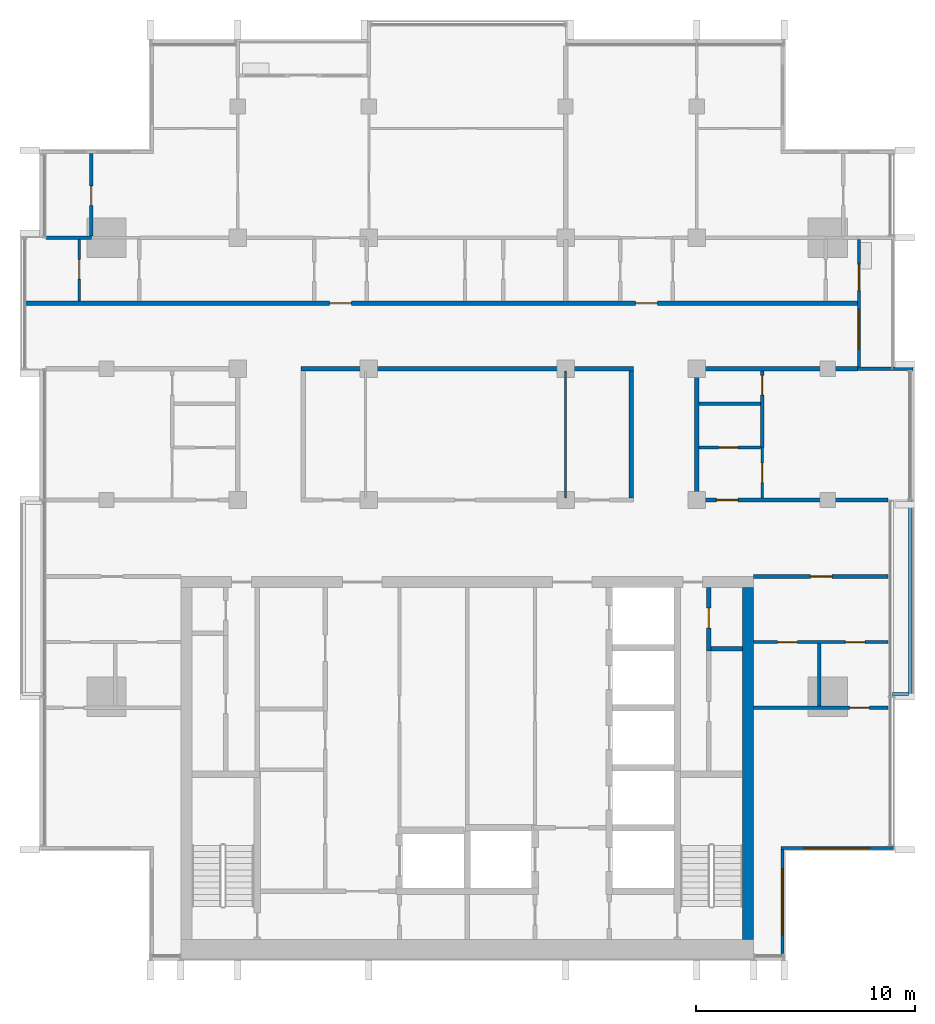
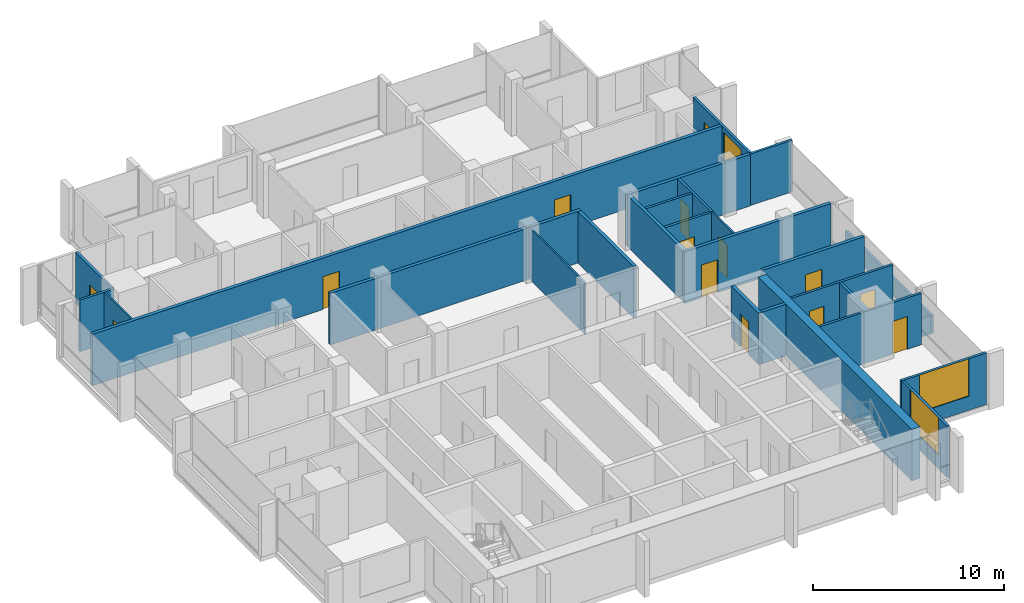
# One storey, part 9 of 16: 27 walls, 14 doors, 3 windows, 17 openings.
"""IFC4 building model written with IfcOpenShell, lengths in metres."""

from ifc_helpers import new_model, si_unit, direction, frame, frame_2d, origin, place, context, subcontext, project, spatial, rectangle, extrude, material, layer, layer_set, type_object, element, fill, save


model = new_model("IFC4")

# Units and contexts
model_context = context("Model", 3, precision=1e-05, world=origin(), true_north=direction((0.0, 1.0)))
body_context = subcontext(model_context, "Body", "Model", "MODEL_VIEW")
ifc_project = project(units=[si_unit("LENGTHUNIT", "METRE"), si_unit("AREAUNIT", "SQUARE_METRE"), si_unit("VOLUMEUNIT", "CUBIC_METRE"), si_unit("PLANEANGLEUNIT", "RADIAN"), si_unit("MASSUNIT", "GRAM", prefix="KILO")], contexts=[model_context])

# Site, building, storey
site_placement = place(None, origin())
site = spatial("IfcSite", under=ifc_project, at=site_placement, CompositionType="ELEMENT")
building_placement = place(site_placement, origin())
building = spatial("IfcBuilding", under=site, at=building_placement, Name="Finial Court Residences", CompositionType="ELEMENT")
storey_placement = place(building_placement, frame((0.0, 0.0, 280.699951171875)))
storey = spatial("IfcBuildingStorey", under=building, at=storey_placement, Name="L71", CompositionType="ELEMENT", Elevation=280.699951171875)

# Wall
ifc_material_1 = material(Name="Concrete C50/60", Category="concrete")
ifc_layer_1 = layer(ifc_material_1, 0.5)
ifc_layer_set_1 = layer_set([ifc_layer_1], Name="Core outer wall 500 Concrete C50/60")
wall_type_1 = type_object("IfcWallType", Name="Core outer wall 500 Concrete C50/60", PredefinedType="SHEAR", material=ifc_layer_set_1)
wall_1_placement = place(storey_placement, frame((12.85009765625, -24.60009765625, 0.0), z_axis=(0.0, 0.0, 1.0), x_axis=(0.0, 1.0, 0.0)))
element("IfcWall", 1, at=wall_1_placement, inside=storey, type_object=wall_type_1, Name="Core outer wall L71-04", PredefinedType="SHEAR", context=body_context, shape_type="SweptSolid", body=[
    extrude(rectangle(XDim=16.10009765625, YDim=0.5, at=frame_2d((8.050048828125, 0.0))), origin(), (0.0, 0.0, 1.0), 3.300048828125),
])

# Wall, opening, door
ifc_material_2 = material(Name="Gypsum board")
ifc_layer_2 = layer(ifc_material_2, 0.02490234375)
ifc_material_3 = material(Name="Acoustic mineral wool in double frame")
ifc_layer_3 = layer(ifc_material_3, 0.14990234375)
ifc_layer_4 = layer(ifc_material_2, 0.02490234375)
ifc_layer_set_2 = layer_set([ifc_layer_2, ifc_layer_3, ifc_layer_4], Name="Corridor wall 200, 1 hour")
wall_type_2 = type_object("IfcWallType", Name="Corridor wall 200, 1 hour", PredefinedType="PARTITIONING", material=ifc_layer_set_2)
wall_2_placement = place(storey_placement, frame((13.10009765625, -8.0, 0.0), z_axis=(0.0, 0.0, 1.0), x_axis=(1.0, 0.0, 0.0)))
wall_2 = element("IfcWall", 2, at=wall_2_placement, inside=storey, type_object=wall_type_2, Name="Partition L71-005", PredefinedType="PARTITIONING", context=body_context, shape_type="SweptSolid", body=[
    extrude(rectangle(XDim=6.162353515625, YDim=0.199951171875, at=frame_2d((3.0810546875, 0.0))), origin(), (0.0, 0.0, 1.0), 3.300048828125),
])
opening_1_placement = place(wall_2_placement, frame((2.60009765625, 0.0, 0.0)))
opening_1 = element("IfcOpeningElement", 3, at=opening_1_placement, cuts=wall_2, Name="Opening L71-D008", PredefinedType="OPENING", context=body_context, shape_type="SweptSolid", body=[
    extrude(rectangle(XDim=1.0, YDim=2.10009765625, at=frame_2d((0.5, 1.050048828125))), frame((0.0, 0.10986328125, 0.0), z_axis=(0.0, -1.0, 0.0), x_axis=(1.0, 0.0, 0.0)), (0.0, 0.0, 1.0), 0.219970703125),
])
ifc_material_4 = material(Name="Timber door leaf in hollow metal frame", Category="wood")
door_type_1 = type_object("IfcDoorType", Name="Fire door set 1000 x 2100, 30 minutes", OperationType="SINGLE_SWING_LEFT", PredefinedType="DOOR", material=ifc_material_4)
door_1_placement = place(opening_1_placement, origin())
door_1 = element("IfcDoor", 4, at=door_1_placement, inside=storey, type_object=door_type_1, Name="Door L71-D008", OperationType="SINGLE_SWING_LEFT", OverallHeight=2.10009765625, OverallWidth=1.0, PredefinedType="DOOR", context=body_context, shape_type="SweptSolid", body=[
    extrude(rectangle(XDim=1.0, YDim=2.10009765625, at=frame_2d((0.5, 1.050048828125))), frame((0.0, 0.02490234375, 0.0), z_axis=(0.0, -1.0, 0.0), x_axis=(1.0, 0.0, 0.0)), (0.0, 0.0, 1.0), 0.050048828125),
])
fill(opening_1, door_1)

wall_3_placement = place(storey_placement, frame((10.39990234375, -4.5, 0.0), z_axis=(0.0, 0.0, 1.0), x_axis=(1.0, 0.0, 0.0)))
wall_3 = element("IfcWall", 5, at=wall_3_placement, inside=storey, type_object=wall_type_2, Name="Partition L71-008", PredefinedType="PARTITIONING", context=body_context, shape_type="SweptSolid", body=[
    extrude(rectangle(XDim=8.862548828125, YDim=0.199951171875, at=frame_2d((4.43115234375, 0.0))), origin(), (0.0, 0.0, 1.0), 3.300048828125),
])
opening_2_placement = place(wall_3_placement, frame((1.0, 0.0, 0.0)))
opening_2 = element("IfcOpeningElement", 6, at=opening_2_placement, cuts=wall_3, Name="Opening L71-D013", PredefinedType="OPENING", context=body_context, shape_type="SweptSolid", body=[
    extrude(rectangle(XDim=1.0, YDim=2.10009765625, at=frame_2d((0.5, 1.050048828125))), frame((0.0, 0.10986328125, 0.0), z_axis=(0.0, -1.0, 0.0), x_axis=(1.0, 0.0, 0.0)), (0.0, 0.0, 1.0), 0.219970703125),
])
door_2_placement = place(opening_2_placement, origin())
door_2 = element("IfcDoor", 7, at=door_2_placement, inside=storey, type_object=door_type_1, Name="Door L71-D013", OperationType="SINGLE_SWING_RIGHT", OverallHeight=2.10009765625, OverallWidth=1.0, PredefinedType="DOOR", context=body_context, shape_type="SweptSolid", body=[
    extrude(rectangle(XDim=1.0, YDim=2.10009765625, at=frame_2d((0.5, 1.050048828125))), frame((0.0, 0.02490234375, 0.0), z_axis=(0.0, -1.0, 0.0), x_axis=(1.0, 0.0, 0.0)), (0.0, 0.0, 1.0), 0.050048828125),
])
fill(opening_2, door_2)

# Walls
wall_4_placement = place(storey_placement, frame((-7.60009765625, 1.5, 0.0), z_axis=(0.0, 0.0, 1.0), x_axis=(1.0, 0.0, 0.0)))
element("IfcWall", 8, at=wall_4_placement, inside=storey, type_object=wall_type_2, Name="Partition L71-014", PredefinedType="PARTITIONING", context=body_context, shape_type="SweptSolid", body=[
    extrude(rectangle(XDim=15.2001953125, YDim=0.199951171875, at=frame_2d((7.60009765625, 0.0))), origin(), (0.0, 0.0, 1.0), 3.300048828125),
])
wall_5_placement = place(storey_placement, frame((10.39990234375, 1.5, 0.0), z_axis=(0.0, 0.0, 1.0), x_axis=(1.0, 0.0, 0.0)))
element("IfcWall", 9, at=wall_5_placement, inside=storey, type_object=wall_type_2, Name="Partition L71-015", PredefinedType="PARTITIONING", context=body_context, shape_type="SweptSolid", body=[
    extrude(rectangle(XDim=7.4501953125, YDim=0.199951171875, at=frame_2d((3.72509765625, 0.0))), origin(), (0.0, 0.0, 1.0), 3.300048828125),
])

# Wall, openings, doors
wall_6_placement = place(storey_placement, frame((-20.25, 4.5, 0.0), z_axis=(0.0, 0.0, 1.0), x_axis=(1.0, 0.0, 0.0)))
wall_6 = element("IfcWall", 10, at=wall_6_placement, inside=storey, type_object=wall_type_2, Name="Partition L71-016", PredefinedType="PARTITIONING", context=body_context, shape_type="SweptSolid", body=[
    extrude(rectangle(XDim=38.10009765625, YDim=0.199951171875, at=frame_2d((19.050048828125, 0.0))), origin(), (0.0, 0.0, 1.0), 3.300048828125),
])
opening_3_placement = place(wall_6_placement, frame((13.949951171875, 0.0, 0.0)))
opening_3 = element("IfcOpeningElement", 11, at=opening_3_placement, cuts=wall_6, Name="Opening L71-D016", PredefinedType="OPENING", context=body_context, shape_type="SweptSolid", body=[
    extrude(rectangle(XDim=1.0, YDim=2.10009765625, at=frame_2d((0.5, 1.050048828125))), frame((0.0, 0.10986328125, 0.0), z_axis=(0.0, -1.0, 0.0), x_axis=(1.0, 0.0, 0.0)), (0.0, 0.0, 1.0), 0.219970703125),
])
opening_4_placement = place(wall_6_placement, frame((27.949951171875, 0.0, 0.0)))
opening_4 = element("IfcOpeningElement", 12, at=opening_4_placement, cuts=wall_6, Name="Opening L71-D017", PredefinedType="OPENING", context=body_context, shape_type="SweptSolid", body=[
    extrude(rectangle(XDim=1.0, YDim=2.10009765625, at=frame_2d((0.5, 1.050048828125))), frame((0.0, 0.10986328125, 0.0), z_axis=(0.0, -1.0, 0.0), x_axis=(1.0, 0.0, 0.0)), (0.0, 0.0, 1.0), 0.219970703125),
])
door_3_placement = place(opening_3_placement, origin())
door_3 = element("IfcDoor", 13, at=door_3_placement, inside=storey, type_object=door_type_1, Name="Door L71-D016", OperationType="SINGLE_SWING_RIGHT", OverallHeight=2.10009765625, OverallWidth=1.0, PredefinedType="DOOR", context=body_context, shape_type="SweptSolid", body=[
    extrude(rectangle(XDim=1.0, YDim=2.10009765625, at=frame_2d((0.5, 1.050048828125))), frame((0.0, 0.02490234375, 0.0), z_axis=(0.0, -1.0, 0.0), x_axis=(1.0, 0.0, 0.0)), (0.0, 0.0, 1.0), 0.050048828125),
])
fill(opening_3, door_3)
door_4_placement = place(opening_4_placement, origin())
door_4 = element("IfcDoor", 14, at=door_4_placement, inside=storey, type_object=door_type_1, Name="Door L71-D017", OperationType="SINGLE_SWING_LEFT", OverallHeight=2.10009765625, OverallWidth=1.0, PredefinedType="DOOR", context=body_context, shape_type="SweptSolid", body=[
    extrude(rectangle(XDim=1.0, YDim=2.10009765625, at=frame_2d((0.5, 1.050048828125))), frame((0.0, 0.02490234375, 0.0), z_axis=(0.0, -1.0, 0.0), x_axis=(1.0, 0.0, 0.0)), (0.0, 0.0, 1.0), 0.050048828125),
])
fill(opening_4, door_4)

# Walls
for number, where, z_axis, x_axis, name in (
    (15, (7.5, -4.39990234375, 0.0), (0.0, 0.0, 1.0), (0.0, 1.0, 0.0), "Partition L71-048"),
    (16, (10.5, -4.39990234375, 0.0), (0.0, 0.0, 1.0), (0.0, 1.0, 0.0), "Partition L71-050"),
):
    element("IfcWall", number, at=place(storey_placement, frame(where, z_axis=z_axis, x_axis=x_axis)), inside=storey, type_object=wall_type_2, Name=name, PredefinedType="PARTITIONING", context=body_context, shape_type="SweptSolid", body=[
        extrude(rectangle(XDim=5.7998046875, YDim=0.199951171875, at=frame_2d((2.89990234375, 0.0))), origin(), (0.0, 0.0, 1.0), 3.300048828125),
    ])

# Wall, opening, door
ifc_layer_5 = layer(ifc_material_2, 0.012451171875)
ifc_material_5 = material(Name="Mineral wool in light-gauge frame")
ifc_layer_6 = layer(ifc_material_5, 0.074951171875)
ifc_layer_7 = layer(ifc_material_2, 0.012451171875)
ifc_layer_set_3 = layer_set([ifc_layer_5, ifc_layer_6, ifc_layer_7], Name="Gypsum board partition 100")
wall_type_3 = type_object("IfcWallType", Name="Gypsum board partition 100", PredefinedType="PARTITIONING", material=ifc_layer_set_3)
wall_7_placement = place(storey_placement, frame((-17.75, 4.60009765625, 0.0), z_axis=(0.0, 0.0, 1.0), x_axis=(0.0, 1.0, 0.0)))
wall_7 = element("IfcWall", 17, at=wall_7_placement, inside=storey, type_object=wall_type_3, Name="Partition L71-029", PredefinedType="PARTITIONING", context=body_context, shape_type="SweptSolid", body=[
    extrude(rectangle(XDim=2.824951171875, YDim=0.10009765625, at=frame_2d((1.41259765625, 0.0))), origin(), (0.0, 0.0, 1.0), 3.300048828125),
])
opening_5_placement = place(wall_7_placement, frame((1.0, 0.0, 0.0)))
opening_5 = element("IfcOpeningElement", 18, at=opening_5_placement, cuts=wall_7, Name="Opening L71-D023", PredefinedType="OPENING", context=body_context, shape_type="SweptSolid", body=[
    extrude(rectangle(XDim=0.89990234375, YDim=2.10009765625, at=frame_2d((0.449951171875, 1.050048828125))), frame((0.0, 0.06005859375, 0.0), z_axis=(0.0, -1.0, 0.0), x_axis=(1.0, 0.0, 0.0)), (0.0, 0.0, 1.0), 0.1201171875),
])
ifc_material_6 = material(Name="Timber door leaf in timber frame", Category="wood")
door_type_2 = type_object("IfcDoorType", Name="Door set 900 x 2100", OperationType="SINGLE_SWING_LEFT", PredefinedType="DOOR", material=ifc_material_6)
door_5_placement = place(opening_5_placement, origin())
door_5 = element("IfcDoor", 19, at=door_5_placement, inside=storey, type_object=door_type_2, Name="Door L71-D023", OperationType="SINGLE_SWING_RIGHT", OverallHeight=2.10009765625, OverallWidth=0.89990234375, PredefinedType="DOOR", context=body_context, shape_type="SweptSolid", body=[
    extrude(rectangle(XDim=0.89990234375, YDim=2.10009765625, at=frame_2d((0.449951171875, 1.050048828125))), frame((0.0, 0.02490234375, 0.0), z_axis=(0.0, -1.0, 0.0), x_axis=(1.0, 0.0, 0.0)), (0.0, 0.0, 1.0), 0.050048828125),
])
fill(opening_5, door_5)

# Wall
wall_8_placement = place(storey_placement, frame((4.5, -4.39990234375, 0.0), z_axis=(0.0, 0.0, 1.0), x_axis=(0.0, 1.0, 0.0)))
element("IfcWall", 20, at=wall_8_placement, inside=storey, type_object=wall_type_3, Name="Partition L71-044", PredefinedType="PARTITIONING", context=body_context, shape_type="SweptSolid", body=[
    extrude(rectangle(XDim=5.7998046875, YDim=0.10009765625, at=frame_2d((2.89990234375, 0.0))), origin(), (0.0, 0.0, 1.0), 3.300048828125),
])

# Wall, opening, door
wall_9_placement = place(storey_placement, frame((13.5, -4.39990234375, 0.0), z_axis=(0.0, 0.0, 1.0), x_axis=(0.0, 1.0, 0.0)))
wall_9 = element("IfcWall", 21, at=wall_9_placement, inside=storey, type_object=wall_type_3, Name="Partition L71-052", PredefinedType="PARTITIONING", context=body_context, shape_type="SweptSolid", body=[
    extrude(rectangle(XDim=2.2998046875, YDim=0.10009765625, at=frame_2d((1.14990234375, 0.0))), origin(), (0.0, 0.0, 1.0), 3.300048828125),
])
opening_6_placement = place(wall_9_placement, frame((0.699951171875, 0.0, 0.0)))
opening_6 = element("IfcOpeningElement", 22, at=opening_6_placement, cuts=wall_9, Name="Opening L71-D037", PredefinedType="OPENING", context=body_context, shape_type="SweptSolid", body=[
    extrude(rectangle(XDim=0.89990234375, YDim=2.10009765625, at=frame_2d((0.449951171875, 1.050048828125))), frame((0.0, 0.06005859375, 0.0), z_axis=(0.0, -1.0, 0.0), x_axis=(1.0, 0.0, 0.0)), (0.0, 0.0, 1.0), 0.1201171875),
])
door_6_placement = place(opening_6_placement, origin())
door_6 = element("IfcDoor", 23, at=door_6_placement, inside=storey, type_object=door_type_2, Name="Door L71-D037", OperationType="SINGLE_SWING_RIGHT", OverallHeight=2.10009765625, OverallWidth=0.89990234375, PredefinedType="DOOR", context=body_context, shape_type="SweptSolid", body=[
    extrude(rectangle(XDim=0.89990234375, YDim=2.10009765625, at=frame_2d((0.449951171875, 1.050048828125))), frame((0.0, 0.02490234375, 0.0), z_axis=(0.0, -1.0, 0.0), x_axis=(1.0, 0.0, 0.0)), (0.0, 0.0, 1.0), 0.050048828125),
])
fill(opening_6, door_6)

ifc_material_7 = material(Name="Moisture-resistant gypsum board")
ifc_layer_8 = layer(ifc_material_7, 0.012451171875)
ifc_layer_9 = layer(ifc_material_5, 0.125)
ifc_layer_10 = layer(ifc_material_7, 0.012451171875)
ifc_layer_set_4 = layer_set([ifc_layer_8, ifc_layer_9, ifc_layer_10], Name="Gypsum board wet-area partition 150")
wall_type_4 = type_object("IfcWallType", Name="Gypsum board wet-area partition 150", PredefinedType="PARTITIONING", material=ifc_layer_set_4)
wall_10_placement = place(storey_placement, frame((13.10009765625, -14.0, 0.0), z_axis=(0.0, 0.0, 1.0), x_axis=(1.0, 0.0, 0.0)))
wall_10 = element("IfcWall", 24, at=wall_10_placement, inside=storey, type_object=wall_type_4, Name="Partition L71-001", PredefinedType="PARTITIONING", context=body_context, shape_type="SweptSolid", body=[
    extrude(rectangle(XDim=6.162353515625, YDim=0.14990234375, at=frame_2d((3.0810546875, 0.0))), origin(), (0.0, 0.0, 1.0), 3.300048828125),
])
opening_7_placement = place(wall_10_placement, frame((4.39990234375, 0.0, 0.0)))
opening_7 = element("IfcOpeningElement", 25, at=opening_7_placement, cuts=wall_10, Name="Opening L71-D002", PredefinedType="OPENING", context=body_context, shape_type="SweptSolid", body=[
    extrude(rectangle(XDim=0.89990234375, YDim=2.10009765625, at=frame_2d((0.449951171875, 1.050048828125))), frame((0.0, 0.0849609375, 0.0), z_axis=(0.0, -1.0, 0.0), x_axis=(1.0, 0.0, 0.0)), (0.0, 0.0, 1.0), 0.169921875),
])
door_7_placement = place(opening_7_placement, origin())
door_7 = element("IfcDoor", 26, at=door_7_placement, inside=storey, type_object=door_type_2, Name="Door L71-D002", OperationType="SINGLE_SWING_RIGHT", OverallHeight=2.10009765625, OverallWidth=0.89990234375, PredefinedType="DOOR", context=body_context, shape_type="SweptSolid", body=[
    extrude(rectangle(XDim=0.89990234375, YDim=2.10009765625, at=frame_2d((0.449951171875, 1.050048828125))), frame((0.0, 0.02490234375, 0.0), z_axis=(0.0, -1.0, 0.0), x_axis=(1.0, 0.0, 0.0)), (0.0, 0.0, 1.0), 0.050048828125),
])
fill(opening_7, door_7)

# Wall, openings, doors
wall_11_placement = place(storey_placement, frame((13.10009765625, -11.0, 0.0), z_axis=(0.0, 0.0, 1.0), x_axis=(1.0, 0.0, 0.0)))
wall_11 = element("IfcWall", 27, at=wall_11_placement, inside=storey, type_object=wall_type_4, Name="Partition L71-003", PredefinedType="PARTITIONING", context=body_context, shape_type="SweptSolid", body=[
    extrude(rectangle(XDim=6.162353515625, YDim=0.14990234375, at=frame_2d((3.0810546875, 0.0))), origin(), (0.0, 0.0, 1.0), 3.300048828125),
])
opening_8_placement = place(wall_11_placement, frame((1.10009765625, 0.0, 0.0)))
opening_8 = element("IfcOpeningElement", 28, at=opening_8_placement, cuts=wall_11, Name="Opening L71-D005", PredefinedType="OPENING", context=body_context, shape_type="SweptSolid", body=[
    extrude(rectangle(XDim=0.89990234375, YDim=2.10009765625, at=frame_2d((0.449951171875, 1.050048828125))), frame((0.0, 0.0849609375, 0.0), z_axis=(0.0, -1.0, 0.0), x_axis=(1.0, 0.0, 0.0)), (0.0, 0.0, 1.0), 0.169921875),
])
opening_9_placement = place(wall_11_placement, frame((4.199951171875, 0.0, 0.0)))
opening_9 = element("IfcOpeningElement", 29, at=opening_9_placement, cuts=wall_11, Name="Opening L71-D006", PredefinedType="OPENING", context=body_context, shape_type="SweptSolid", body=[
    extrude(rectangle(XDim=0.89990234375, YDim=2.10009765625, at=frame_2d((0.449951171875, 1.050048828125))), frame((0.0, 0.0849609375, 0.0), z_axis=(0.0, -1.0, 0.0), x_axis=(1.0, 0.0, 0.0)), (0.0, 0.0, 1.0), 0.169921875),
])
door_8_placement = place(opening_8_placement, origin())
door_8 = element("IfcDoor", 30, at=door_8_placement, inside=storey, type_object=door_type_2, Name="Door L71-D005", OperationType="SINGLE_SWING_LEFT", OverallHeight=2.10009765625, OverallWidth=0.89990234375, PredefinedType="DOOR", context=body_context, shape_type="SweptSolid", body=[
    extrude(rectangle(XDim=0.89990234375, YDim=2.10009765625, at=frame_2d((0.449951171875, 1.050048828125))), frame((0.0, 0.02490234375, 0.0), z_axis=(0.0, -1.0, 0.0), x_axis=(1.0, 0.0, 0.0)), (0.0, 0.0, 1.0), 0.050048828125),
])
fill(opening_8, door_8)
door_9_placement = place(opening_9_placement, origin())
door_9 = element("IfcDoor", 31, at=door_9_placement, inside=storey, type_object=door_type_2, Name="Door L71-D006", OperationType="SINGLE_SWING_RIGHT", OverallHeight=2.10009765625, OverallWidth=0.89990234375, PredefinedType="DOOR", context=body_context, shape_type="SweptSolid", body=[
    extrude(rectangle(XDim=0.89990234375, YDim=2.10009765625, at=frame_2d((0.449951171875, 1.050048828125))), frame((0.0, 0.02490234375, 0.0), z_axis=(0.0, -1.0, 0.0), x_axis=(1.0, 0.0, 0.0)), (0.0, 0.0, 1.0), 0.050048828125),
])
fill(opening_9, door_9)

# Wall, opening, door
wall_12_placement = place(storey_placement, frame((10.60009765625, -2.10009765625, 0.0), z_axis=(0.0, 0.0, 1.0), x_axis=(1.0, 0.0, 0.0)))
wall_12 = element("IfcWall", 32, at=wall_12_placement, inside=storey, type_object=wall_type_4, Name="Partition L71-010", PredefinedType="PARTITIONING", context=body_context, shape_type="SweptSolid", body=[
    extrude(rectangle(XDim=2.824951171875, YDim=0.14990234375, at=frame_2d((1.41259765625, 0.0))), origin(), (0.0, 0.0, 1.0), 3.300048828125),
])
opening_10_placement = place(wall_12_placement, frame((0.89990234375, 0.0, 0.0)))
opening_10 = element("IfcOpeningElement", 33, at=opening_10_placement, cuts=wall_12, Name="Opening L71-D015", PredefinedType="OPENING", context=body_context, shape_type="SweptSolid", body=[
    extrude(rectangle(XDim=0.89990234375, YDim=2.10009765625, at=frame_2d((0.449951171875, 1.050048828125))), frame((0.0, 0.0849609375, 0.0), z_axis=(0.0, -1.0, 0.0), x_axis=(1.0, 0.0, 0.0)), (0.0, 0.0, 1.0), 0.169921875),
])
door_10_placement = place(opening_10_placement, origin())
door_10 = element("IfcDoor", 34, at=door_10_placement, inside=storey, type_object=door_type_2, Name="Door L71-D015", OperationType="SINGLE_SWING_RIGHT", OverallHeight=2.10009765625, OverallWidth=0.89990234375, PredefinedType="DOOR", context=body_context, shape_type="SweptSolid", body=[
    extrude(rectangle(XDim=0.89990234375, YDim=2.10009765625, at=frame_2d((0.449951171875, 1.050048828125))), frame((0.0, 0.02490234375, 0.0), z_axis=(0.0, -1.0, 0.0), x_axis=(1.0, 0.0, 0.0)), (0.0, 0.0, 1.0), 0.050048828125),
])
fill(opening_10, door_10)

# Walls
wall_13_placement = place(storey_placement, frame((10.60009765625, -0.10009765625, 0.0), z_axis=(0.0, 0.0, 1.0), x_axis=(1.0, 0.0, 0.0)))
element("IfcWall", 35, at=wall_13_placement, inside=storey, type_object=wall_type_4, Name="Partition L71-012", PredefinedType="PARTITIONING", context=body_context, shape_type="SweptSolid", body=[
    extrude(rectangle(XDim=2.824951171875, YDim=0.14990234375, at=frame_2d((1.41259765625, 0.0))), origin(), (0.0, 0.0, 1.0), 3.300048828125),
])
wall_14_placement = place(storey_placement, frame((-19.262451171875, 7.5, 0.0), z_axis=(0.0, 0.0, 1.0), x_axis=(1.0, 0.0, 0.0)))
element("IfcWall", 36, at=wall_14_placement, inside=storey, type_object=wall_type_4, Name="Partition L71-021", PredefinedType="PARTITIONING", context=body_context, shape_type="SweptSolid", body=[
    extrude(rectangle(XDim=2.0625, YDim=0.14990234375, at=frame_2d((1.03125, 0.0))), origin(), (0.0, 0.0, 1.0), 3.300048828125),
])

# Wall, opening, door
wall_15_placement = place(storey_placement, frame((-17.199951171875, 7.574951171875, 0.0), z_axis=(0.0, 0.0, 1.0), x_axis=(0.0, 1.0, 0.0)))
wall_15 = element("IfcWall", 37, at=wall_15_placement, inside=storey, type_object=wall_type_4, Name="Partition L71-030", PredefinedType="PARTITIONING", context=body_context, shape_type="SweptSolid", body=[
    extrude(rectangle(XDim=3.775146484375, YDim=0.14990234375, at=frame_2d((1.8876953125, 0.0))), origin(), (0.0, 0.0, 1.0), 3.300048828125),
])
opening_11_placement = place(wall_15_placement, frame((1.39990234375, 0.0, 0.0)))
opening_11 = element("IfcOpeningElement", 38, at=opening_11_placement, cuts=wall_15, Name="Opening L71-D024", PredefinedType="OPENING", context=body_context, shape_type="SweptSolid", body=[
    extrude(rectangle(XDim=0.89990234375, YDim=2.10009765625, at=frame_2d((0.449951171875, 1.050048828125))), frame((0.0, 0.0849609375, 0.0), z_axis=(0.0, -1.0, 0.0), x_axis=(1.0, 0.0, 0.0)), (0.0, 0.0, 1.0), 0.169921875),
])
door_11_placement = place(opening_11_placement, origin())
door_11 = element("IfcDoor", 39, at=door_11_placement, inside=storey, type_object=door_type_2, Name="Door L71-D024", OperationType="SINGLE_SWING_LEFT", OverallHeight=2.10009765625, OverallWidth=0.89990234375, PredefinedType="DOOR", context=body_context, shape_type="SweptSolid", body=[
    extrude(rectangle(XDim=0.89990234375, YDim=2.10009765625, at=frame_2d((0.449951171875, 1.050048828125))), frame((0.0, 0.02490234375, 0.0), z_axis=(0.0, -1.0, 0.0), x_axis=(1.0, 0.0, 0.0)), (0.0, 0.0, 1.0), 0.050048828125),
])
fill(opening_11, door_11)

wall_16_placement = place(storey_placement, frame((13.5, -2.10009765625, 0.0), z_axis=(0.0, 0.0, 1.0), x_axis=(0.0, 1.0, 0.0)))
wall_16 = element("IfcWall", 40, at=wall_16_placement, inside=storey, type_object=wall_type_4, Name="Partition L71-053", PredefinedType="PARTITIONING", context=body_context, shape_type="SweptSolid", body=[
    extrude(rectangle(XDim=3.5, YDim=0.14990234375, at=frame_2d((1.75, 0.0))), origin(), (0.0, 0.0, 1.0), 3.300048828125),
])
opening_12_placement = place(wall_16_placement, frame((2.39990234375, 0.0, 0.0)))
opening_12 = element("IfcOpeningElement", 41, at=opening_12_placement, cuts=wall_16, Name="Opening L71-D038", PredefinedType="OPENING", context=body_context, shape_type="SweptSolid", body=[
    extrude(rectangle(XDim=0.89990234375, YDim=2.10009765625, at=frame_2d((0.449951171875, 1.050048828125))), frame((0.0, 0.0849609375, 0.0), z_axis=(0.0, -1.0, 0.0), x_axis=(1.0, 0.0, 0.0)), (0.0, 0.0, 1.0), 0.169921875),
])
door_12_placement = place(opening_12_placement, origin())
door_12 = element("IfcDoor", 42, at=door_12_placement, inside=storey, type_object=door_type_2, Name="Door L71-D038", OperationType="SINGLE_SWING_LEFT", OverallHeight=2.10009765625, OverallWidth=0.89990234375, PredefinedType="DOOR", context=body_context, shape_type="SweptSolid", body=[
    extrude(rectangle(XDim=0.89990234375, YDim=2.10009765625, at=frame_2d((0.449951171875, 1.050048828125))), frame((0.0, 0.02490234375, 0.0), z_axis=(0.0, -1.0, 0.0), x_axis=(1.0, 0.0, 0.0)), (0.0, 0.0, 1.0), 0.050048828125),
])
fill(opening_12, door_12)

# Walls
wall_17_placement = place(storey_placement, frame((16.10009765625, -13.925048828125, 0.0), z_axis=(0.0, 0.0, 1.0), x_axis=(0.0, 1.0, 0.0)))
element("IfcWall", 43, at=wall_17_placement, inside=storey, type_object=wall_type_4, Name="Partition L71-054", PredefinedType="PARTITIONING", context=body_context, shape_type="SweptSolid", body=[
    extrude(rectangle(XDim=2.85009765625, YDim=0.14990234375, at=frame_2d((1.425048828125, 0.0))), origin(), (0.0, 0.0, 1.0), 3.300048828125),
])
ifc_material_8 = material(Name="Concrete C35/45", Category="concrete")
ifc_layer_11 = layer(ifc_material_8, 0.14990234375)
ifc_layer_set_5 = layer_set([ifc_layer_11], Name="Ledge parapet, Concrete C35/45 150")
wall_type_5 = type_object("IfcWallType", Name="Ledge parapet, Concrete C35/45 150", PredefinedType="PARAPET", material=ifc_layer_set_5)
wall_18_placement = place(storey_placement, frame((20.27490234375, -4.447509765625, 0.0), z_axis=(0.0, 0.0, 1.0), x_axis=(0.0, -1.0, 0.0)))
element("IfcWall", 44, at=wall_18_placement, inside=storey, type_object=wall_type_5, Name="E-L71-LED1-P1", PredefinedType="PARAPET", context=body_context, shape_type="SweptSolid", body=[
    extrude(rectangle(XDim=9.00244140625, YDim=0.14990234375, at=frame_2d((4.501220703125, 0.0))), origin(), (0.0, 0.0, 1.0), 1.150146484375),
])
wall_19_placement = place(storey_placement, frame((20.199951171875, -13.375, 0.0), z_axis=(0.0, 0.0, 1.0), x_axis=(-1.0, 0.0, 0.0)))
element("IfcWall", 45, at=wall_19_placement, inside=storey, type_object=wall_type_5, Name="E-L71-LED1-P2", PredefinedType="PARAPET", context=body_context, shape_type="SweptSolid", body=[
    extrude(rectangle(XDim=0.75244140625, YDim=0.14990234375, at=frame_2d((0.376220703125, 0.0))), origin(), (0.0, 0.0, 1.0), 1.150146484375),
])

# Wall, opening, window
ifc_material_9 = material(Name="Natural limestone", Category="masonry")
ifc_layer_12 = layer(ifc_material_9, 0.14990234375)
ifc_layer_set_6 = layer_set([ifc_layer_12], Name="Limestone clad wall 150")
wall_type_6 = type_object("IfcWallType", Name="Limestone clad wall 150", PredefinedType="SOLIDWALL", material=ifc_layer_set_6)
wall_20_placement = place(storey_placement, frame((14.425048828125, -20.5, 0.0), z_axis=(0.0, 0.0, 1.0), x_axis=(0.0, -1.0, 0.0)))
wall_20 = element("IfcWall", 46, at=wall_20_placement, inside=storey, type_object=wall_type_6, Name="E-L71-NWE14", PredefinedType="SOLIDWALL", context=body_context, shape_type="SweptSolid", body=[
    extrude(rectangle(XDim=4.762451171875, YDim=0.14990234375, at=frame_2d((2.38134765625, 0.0))), origin(), (0.0, 0.0, 1.0), 3.300048828125),
])
opening_13_placement = place(wall_20_placement, frame((0.88134765625, 0.0, 0.89990234375)))
opening_13 = element("IfcOpeningElement", 47, at=opening_13_placement, cuts=wall_20, Name="Opening WE71-03", PredefinedType="OPENING", context=body_context, shape_type="SweptSolid", body=[
    extrude(rectangle(XDim=3.0, YDim=2.39990234375, at=frame_2d((1.5, 1.199951171875))), frame((0.0, 0.0849609375, 0.0), z_axis=(0.0, -1.0, 0.0), x_axis=(1.0, 0.0, 0.0)), (0.0, 0.0, 1.0), 0.169921875),
])
ifc_material_10 = material(Name="Clear low-e glass", Category="glass")
window_type_1 = type_object("IfcWindowType", Name="Corner window 3000 x 2400", PartitioningType="SINGLE_PANEL", PredefinedType="WINDOW", material=ifc_material_10)
window_1_placement = place(opening_13_placement, origin())
window_1 = element("IfcWindow", 48, at=window_1_placement, inside=storey, type_object=window_type_1, Name="E-L71-NWE14-W1", OverallHeight=2.39990234375, OverallWidth=3.0, PartitioningType="SINGLE_PANEL", PredefinedType="WINDOW", context=body_context, shape_type="SweptSolid", body=[
    extrude(rectangle(XDim=3.0, YDim=2.39990234375, at=frame_2d((1.5, 1.199951171875))), frame((0.0, 0.030029296875, 0.0), z_axis=(0.0, -1.0, 0.0), x_axis=(1.0, 0.0, 0.0)), (0.0, 0.0, 1.0), 0.06005859375),
])
fill(opening_13, window_1)

wall_21_placement = place(storey_placement, frame((19.5, -20.425048828125, 0.0), z_axis=(0.0, 0.0, 1.0), x_axis=(-1.0, 0.0, 0.0)))
wall_21 = element("IfcWall", 49, at=wall_21_placement, inside=storey, type_object=wall_type_6, Name="E-L71-NWS15", PredefinedType="SOLIDWALL", context=body_context, shape_type="SweptSolid", body=[
    extrude(rectangle(XDim=5.14990234375, YDim=0.14990234375, at=frame_2d((2.574951171875, 0.0))), origin(), (0.0, 0.0, 1.0), 3.300048828125),
])
opening_14_placement = place(wall_21_placement, frame((1.074951171875, 0.0, 0.89990234375)))
opening_14 = element("IfcOpeningElement", 50, at=opening_14_placement, cuts=wall_21, Name="Opening WE71-04", PredefinedType="OPENING", context=body_context, shape_type="SweptSolid", body=[
    extrude(rectangle(XDim=3.0, YDim=2.39990234375, at=frame_2d((1.5, 1.199951171875))), frame((0.0, 0.0849609375, 0.0), z_axis=(0.0, -1.0, 0.0), x_axis=(1.0, 0.0, 0.0)), (0.0, 0.0, 1.0), 0.169921875),
])
window_2_placement = place(opening_14_placement, origin())
window_2 = element("IfcWindow", 51, at=window_2_placement, inside=storey, type_object=window_type_1, Name="E-L71-NWS15-W1", OverallHeight=2.39990234375, OverallWidth=3.0, PartitioningType="SINGLE_PANEL", PredefinedType="WINDOW", context=body_context, shape_type="SweptSolid", body=[
    extrude(rectangle(XDim=3.0, YDim=2.39990234375, at=frame_2d((1.5, 1.199951171875))), frame((0.0, 0.030029296875, 0.0), z_axis=(0.0, -1.0, 0.0), x_axis=(1.0, 0.0, 0.0)), (0.0, 0.0, 1.0), 0.06005859375),
])
fill(opening_14, window_2)

# Wall
wall_22_placement = place(storey_placement, frame((17.85009765625, 1.5, 0.0), z_axis=(0.0, 0.0, 1.0), x_axis=(1.0, 0.0, 0.0)))
element("IfcWall", 52, at=wall_22_placement, inside=storey, type_object=wall_type_6, Name="E-L71-BALE4-P1", PredefinedType="SOLIDWALL", context=body_context, shape_type="SweptSolid", body=[
    extrude(rectangle(XDim=2.5498046875, YDim=0.14990234375, at=frame_2d((1.27490234375, 0.0))), origin(), (0.0, 0.0, 1.0), 3.300048828125),
])

# Wall, openings, door, window
wall_23_placement = place(storey_placement, frame((17.925048828125, 7.425048828125, 0.0), z_axis=(0.0, 0.0, 1.0), x_axis=(0.0, -1.0, 0.0)))
wall_23 = element("IfcWall", 53, at=wall_23_placement, inside=storey, type_object=wall_type_6, Name="E-L71-L71-BALE4-W", PredefinedType="SOLIDWALL", context=body_context, shape_type="SweptSolid", body=[
    extrude(rectangle(XDim=5.85009765625, YDim=0.14990234375, at=frame_2d((2.925048828125, 0.0))), origin(), (0.0, 0.0, 1.0), 3.300048828125),
])
opening_15_placement = place(wall_23_placement, frame((1.14990234375, 0.0, 0.0)))
opening_15 = element("IfcOpeningElement", 54, at=opening_15_placement, cuts=wall_23, Name="Opening DE71-02", PredefinedType="OPENING", context=body_context, shape_type="SweptSolid", body=[
    extrude(rectangle(XDim=1.199951171875, YDim=2.39990234375, at=frame_2d((0.60009765625, 1.199951171875))), frame((0.0, 0.0849609375, 0.0), z_axis=(0.0, -1.0, 0.0), x_axis=(1.0, 0.0, 0.0)), (0.0, 0.0, 1.0), 0.169921875),
])
opening_16_placement = place(wall_23_placement, frame((3.199951171875, 0.0, 0.89990234375)))
opening_16 = element("IfcOpeningElement", 55, at=opening_16_placement, cuts=wall_23, Name="Opening WE71-13", PredefinedType="OPENING", context=body_context, shape_type="SweptSolid", body=[
    extrude(rectangle(XDim=1.800048828125, YDim=2.10009765625, at=frame_2d((0.89990234375, 1.050048828125))), frame((0.0, 0.0849609375, 0.0), z_axis=(0.0, -1.0, 0.0), x_axis=(1.0, 0.0, 0.0)), (0.0, 0.0, 1.0), 0.169921875),
])
ifc_material_11 = material(Name="Bronze anodised aluminium", Category="aluminium")
door_type_3 = type_object("IfcDoorType", Name="Balcony door 1200 x 2400", OperationType="SINGLE_SWING_LEFT", PredefinedType="DOOR", material=ifc_material_11)
door_13_placement = place(opening_15_placement, origin())
door_13 = element("IfcDoor", 56, at=door_13_placement, inside=storey, type_object=door_type_3, Name="E-L71-L71-BALE4-W-D", OperationType="SINGLE_SWING_LEFT", OverallHeight=2.39990234375, OverallWidth=1.199951171875, PredefinedType="DOOR", context=body_context, shape_type="SweptSolid", body=[
    extrude(rectangle(XDim=1.199951171875, YDim=2.39990234375, at=frame_2d((0.60009765625, 1.199951171875))), frame((0.0, 0.02490234375, 0.0), z_axis=(0.0, -1.0, 0.0), x_axis=(1.0, 0.0, 0.0)), (0.0, 0.0, 1.0), 0.050048828125),
])
fill(opening_15, door_13)
window_type_2 = type_object("IfcWindowType", Name="Balcony window 1800 x 2100", PartitioningType="SINGLE_PANEL", PredefinedType="WINDOW", material=ifc_material_10)
window_3_placement = place(opening_16_placement, origin())
window_3 = element("IfcWindow", 57, at=window_3_placement, inside=storey, type_object=window_type_2, Name="E-L71-L71-BALE4-W-W1", OverallHeight=2.10009765625, OverallWidth=1.800048828125, PartitioningType="SINGLE_PANEL", PredefinedType="WINDOW", context=body_context, shape_type="SweptSolid", body=[
    extrude(rectangle(XDim=1.800048828125, YDim=2.10009765625, at=frame_2d((0.89990234375, 1.050048828125))), frame((0.0, 0.030029296875, 0.0), z_axis=(0.0, -1.0, 0.0), x_axis=(1.0, 0.0, 0.0)), (0.0, 0.0, 1.0), 0.06005859375),
])
fill(opening_16, window_3)

# Wall
ifc_material_12 = material(Name="Fire-rated gypsum board partition")
ifc_layer_13 = layer(ifc_material_12, 0.199951171875)
ifc_layer_set_7 = layer_set([ifc_layer_13], Name="Riser room wall 200 EI 120")
wall_type_7 = type_object("IfcWallType", Name="Riser room wall 200 EI 120", PredefinedType="PARTITIONING", material=ifc_layer_set_7)
wall_24_placement = place(storey_placement, frame((11.14990234375, -11.300048828125, 0.0), z_axis=(0.0, 0.0, 1.0), x_axis=(1.0, 0.0, 0.0)))
element("IfcWall", 58, at=wall_24_placement, inside=storey, type_object=wall_type_7, Name="Core partition L71-14", PredefinedType="PARTITIONING", context=body_context, shape_type="SweptSolid", body=[
    extrude(rectangle(XDim=1.4501953125, YDim=0.199951171875, at=frame_2d((0.72509765625, 0.0))), origin(), (0.0, 0.0, 1.0), 3.300048828125),
])

# Wall, opening, door
wall_25_placement = place(storey_placement, frame((11.050048828125, -8.5, 0.0), z_axis=(0.0, 0.0, 1.0), x_axis=(0.0, -1.0, 0.0)))
wall_25 = element("IfcWall", 59, at=wall_25_placement, inside=storey, type_object=wall_type_7, Name="Core partition L71-38", PredefinedType="PARTITIONING", context=body_context, shape_type="SweptSolid", body=[
    extrude(rectangle(XDim=2.89990234375, YDim=0.199951171875, at=frame_2d((1.449951171875, 0.0))), origin(), (0.0, 0.0, 1.0), 3.300048828125),
])
opening_17_placement = place(wall_25_placement, frame((0.949951171875, 0.0, 0.0)))
opening_17 = element("IfcOpeningElement", 60, at=opening_17_placement, cuts=wall_25, Name="Opening L71-C08", PredefinedType="OPENING", context=body_context, shape_type="SweptSolid", body=[
    extrude(rectangle(XDim=0.89990234375, YDim=2.10009765625, at=frame_2d((0.449951171875, 1.050048828125))), frame((0.0, 0.10986328125, 0.0), z_axis=(0.0, -1.0, 0.0), x_axis=(1.0, 0.0, 0.0)), (0.0, 0.0, 1.0), 0.219970703125),
])
ifc_material_13 = material(Name="Steel fire door", Category="steel")
door_type_4 = type_object("IfcDoorType", Name="Riser room door 900 x 2100 EI 90", OperationType="NOTDEFINED", PredefinedType="DOOR", material=ifc_material_13)
door_14_placement = place(opening_17_placement, origin())
door_14 = element("IfcDoor", 61, at=door_14_placement, inside=storey, type_object=door_type_4, Name="Riser room door L71-C08", OperationType="SINGLE_SWING_RIGHT", OverallHeight=2.10009765625, OverallWidth=0.89990234375, PredefinedType="DOOR", context=body_context, shape_type="SweptSolid", body=[
    extrude(rectangle(XDim=0.89990234375, YDim=2.10009765625, at=frame_2d((0.449951171875, 1.050048828125))), frame((0.0, 0.02490234375, 0.0), z_axis=(0.0, -1.0, 0.0), x_axis=(1.0, 0.0, 0.0)), (0.0, 0.0, 1.0), 0.050048828125),
])
fill(opening_17, door_14)

save(model, "model.ifc")
